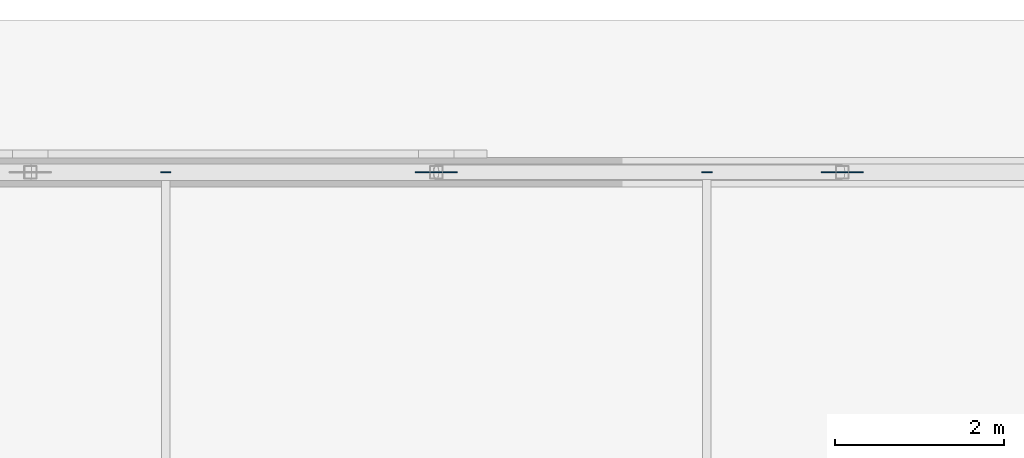
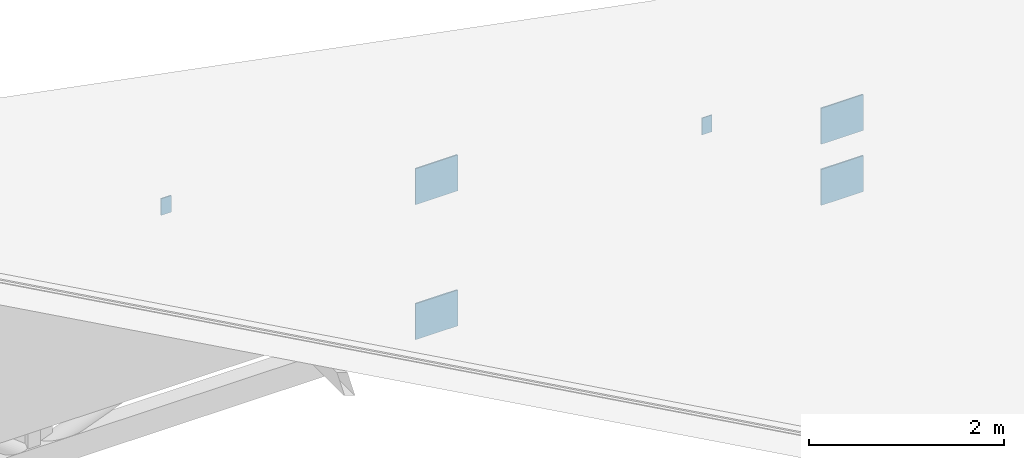
# One storey, part 168 of 200: 6 plates.
"""IFC4 building model written with IfcOpenShell, lengths in metres."""

from ifc_helpers import new_model, si_unit, direction, frame, origin, origin_2d, place, context, subcontext, project, spatial, rectangle, extrude, material, layer, layer_set, type_object, element, save


model = new_model("IFC4")

# Units and contexts
model_context = context("Model", 3, precision=1e-05, world=origin(), true_north=direction((0.0, 1.0)))
body_context = subcontext(model_context, "Body", "Model", "MODEL_VIEW")
ifc_project = project(units=[si_unit("LENGTHUNIT", "METRE"), si_unit("AREAUNIT", "SQUARE_METRE"), si_unit("VOLUMEUNIT", "CUBIC_METRE"), si_unit("PLANEANGLEUNIT", "RADIAN"), si_unit("MASSUNIT", "GRAM", prefix="KILO")], contexts=[model_context])

# Site, building, storey
site_placement = place(None, origin())
site = spatial("IfcSite", under=ifc_project, at=site_placement, CompositionType="ELEMENT")
building_placement = place(site_placement, origin())
building = spatial("IfcBuilding", under=site, at=building_placement, Name="Vondelvale Polytechnic", CompositionType="ELEMENT")
storey_placement = place(building_placement, frame((0.0, 0.0, 13.800048828125)))
storey = spatial("IfcBuildingStorey", under=building, at=storey_placement, Name="L03", CompositionType="ELEMENT", Elevation=13.800048828125)

# Plates
ifc_material = material(Name="Steel Grade 350 (fy = 340 MPa)", Category="steel")
ifc_layer_1 = layer(ifc_material, 0.011962890625)
ifc_layer_set_1 = layer_set([ifc_layer_1], Name="PLATE-CAP-C04")
plate_type_1 = type_object("IfcPlateType", Name="PLATE-CAP-C04", PredefinedType="USERDEFINED", material=ifc_layer_set_1)
for number, where, z_axis, x_axis, name in (
    (1, (35.199951171875, 122.39990234375, 2.04296875), (0.0, 0.0, 1.0), (1.0, 0.0, 0.0), "Workshop purlin North end cap plate 8"),
    (2, (41.60009765625, 122.39990234375, 0.8095703125), (0.0, 0.0, 1.0), (1.0, 0.0, 0.0), "Workshop purlin North end cap plate 9"),
):
    element("IfcPlate", number, at=place(storey_placement, frame(where, z_axis=z_axis, x_axis=x_axis)), inside=storey, type_object=plate_type_1, Name=name, ObjectType="CAP_PLATE", PredefinedType="USERDEFINED", context=body_context, shape_type="SweptSolid", body=[
        extrude(rectangle(XDim=0.1201171875, YDim=0.011962890625, at=origin_2d()), origin(), (0.0, 0.0, 1.0), 0.2099609375),
    ])
ifc_layer_2 = layer(ifc_material, 0.01611328125)
ifc_layer_set_2 = layer_set([ifc_layer_2], Name="PLATE-GUSSET-16")
plate_type_2 = type_object("IfcPlateType", Name="PLATE-GUSSET-16", PredefinedType="USERDEFINED", material=ifc_layer_set_2)
for number, where, z_axis, x_axis, name in (
    (3, (38.39990234375, 122.39990234375, 1.125), (0.0, 0.0, 1.0), (1.0, 0.0, 0.0), "ROOF TRUSS top chord gusset node plate 7"),
    (4, (38.39990234375, 122.39990234375, -0.56494140625), (0.0, 0.0, 1.0), (1.0, 0.0, 0.0), "ROOF TRUSS bottom chord gusset node plate 7"),
    (5, (43.199951171875, 122.39990234375, 0.2001953125), (0.0, 0.0, 1.0), (1.0, 0.0, 0.0), "ROOF TRUSS top chord gusset node plate 8"),
    (6, (43.199951171875, 122.39990234375, -0.56494140625), (0.0, 0.0, 1.0), (1.0, 0.0, 0.0), "ROOF TRUSS bottom chord gusset node plate 8"),
):
    element("IfcPlate", number, at=place(storey_placement, frame(where, z_axis=z_axis, x_axis=x_axis)), inside=storey, type_object=plate_type_2, Name=name, ObjectType="GUSSET_PLATE", PredefinedType="USERDEFINED", context=body_context, shape_type="SweptSolid", body=[
        extrude(rectangle(XDim=0.5, YDim=0.01611328125, at=origin_2d()), origin(), (0.0, 0.0, 1.0), 0.449951171875),
    ])

save(model, "model.ifc")
